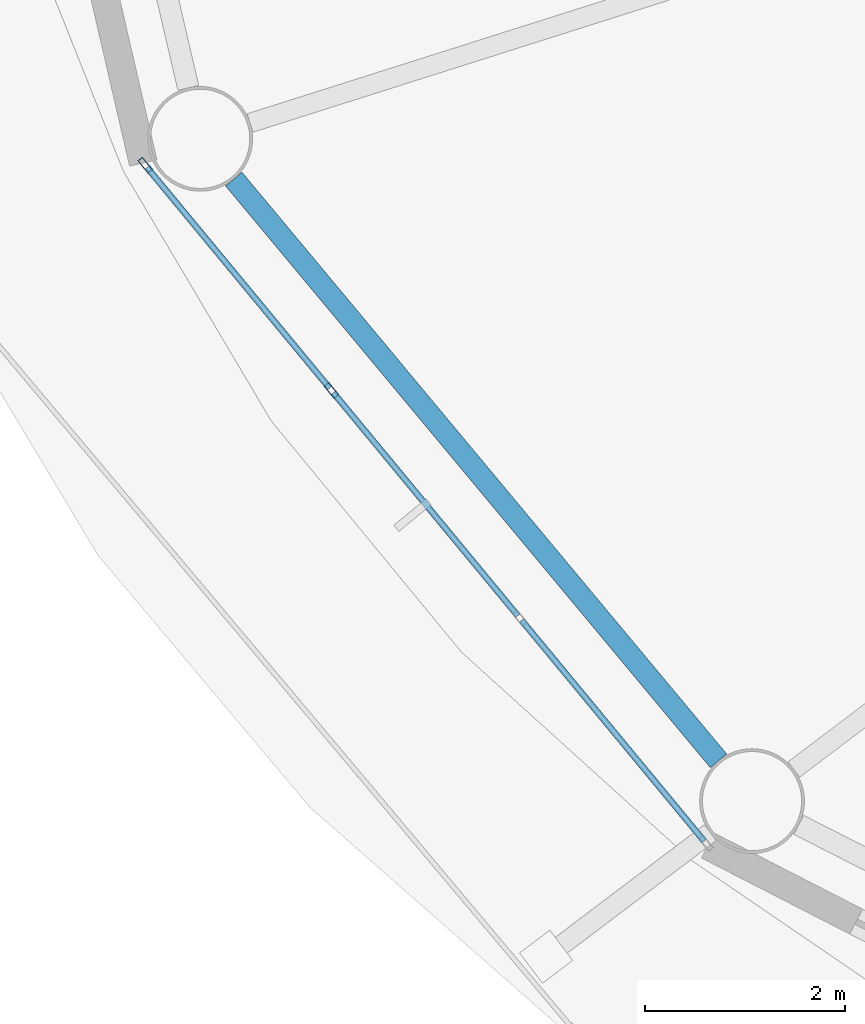
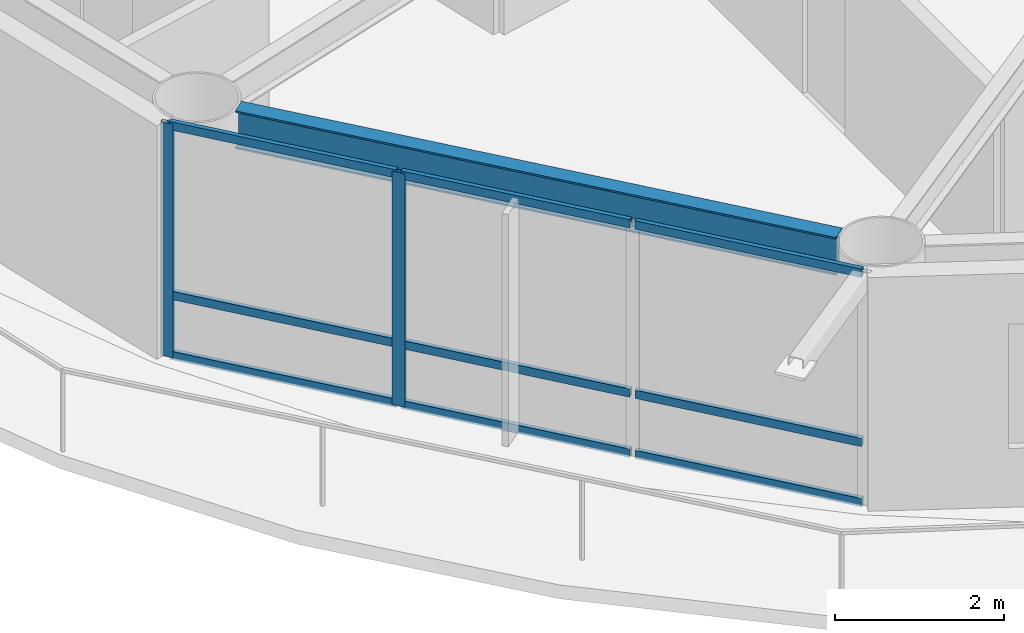
# One storey, part 3 of 27: 11 members, 1 beam, 1 element without a shape of its own.
"""IFC4 building model written with IfcOpenShell, lengths in metres."""

from ifc_helpers import new_model, si_unit, direction, frame, origin, origin_2d, place, context, subcontext, project, spatial, hollow_rectangle, i_section, extrude, material, layer, layer_set, material_profile, profile_set, type_object, element, aggregate, save


model = new_model("IFC4")

# Units and contexts
model_context = context("Model", 3, precision=1e-05, world=origin(), true_north=direction((0.0, 1.0)))
body_context = subcontext(model_context, "Body", "Model", "MODEL_VIEW")
ifc_project = project(units=[si_unit("LENGTHUNIT", "METRE"), si_unit("AREAUNIT", "SQUARE_METRE"), si_unit("VOLUMEUNIT", "CUBIC_METRE"), si_unit("PLANEANGLEUNIT", "RADIAN"), si_unit("MASSUNIT", "GRAM", prefix="KILO")], contexts=[model_context])

# Site, building, storey
site_placement = place(None, origin())
site = spatial("IfcSite", under=ifc_project, at=site_placement, CompositionType="ELEMENT")
building_placement = place(site_placement, origin())
building = spatial("IfcBuilding", under=site, at=building_placement, Name="Sarneth Arch Tower", CompositionType="ELEMENT")
storey_placement = place(building_placement, frame((0.0, 0.0, 157.800048828125)))
storey = spatial("IfcBuildingStorey", under=building, at=storey_placement, Name="L39", CompositionType="ELEMENT", Elevation=157.800048828125)

# Beam
ifc_material_1 = material(Name="Steel S355", Category="steel")
ifc_material_profile_1 = material_profile(ifc_material_1, i_section(OverallWidth=0.214111328125, OverallDepth=0.549072265625, WebThickness=0.0146484375, FlangeThickness=0.023681640625, FilletRadius=0.01806640625, at=origin_2d()), Name="W530x138")
ifc_profile_set_1 = profile_set([ifc_material_profile_1], Name="Steel S355")
beam_type = type_object("IfcBeamType", Name="BM-RAD-530A", PredefinedType="BEAM", material=ifc_profile_set_1)
beam_placement = place(storey_placement, frame((23.673828125, 33.770751953125, 3.10546875), z_axis=(0.640171737024, -0.768231831621, 0.0), x_axis=(0.768231831621, 0.640171737024, 0.0)))
element("IfcBeam", 1, at=beam_placement, inside=storey, type_object=beam_type, Name="L39 Perimeter spandrel beam 10", PredefinedType="BEAM", context=body_context, shape_type="SweptSolid", body=[
    extrude(i_section(OverallWidth=0.214111328125, OverallDepth=0.549072265625, WebThickness=0.0146484375, FlangeThickness=0.023681640625, FilletRadius=0.01806640625, at=origin_2d()), origin(), (0.0, 0.0, 1.0), 7.585693359375),
])

# Curtain wall, members
ifc_material_2 = material(Name="Anodised aluminium Type AA25 and solar-control low-e laminated IGU", Category="aluminium")
ifc_layer = layer(ifc_material_2, 0.169921875)
ifc_layer_set = layer_set([ifc_layer], Name="Anodised aluminium Type AA25 and solar-control low-e laminated IGU")
curtain_wall_type = type_object("IfcCurtainWallType", Name="CW-RES-MID", PredefinedType="NOTDEFINED", material=ifc_layer_set)
curtain_wall_placement = place(storey_placement, origin())
curtain_wall = element("IfcCurtainWall", 2, at=curtain_wall_placement, inside=storey, type_object=curtain_wall_type, Name="L39 Unitised curtain wall facet 10", PredefinedType="NOTDEFINED")
ifc_material_3 = material(Name="Anodised Aluminium 6063-T6", Category="aluminium")
ifc_material_profile_2 = material_profile(ifc_material_3, hollow_rectangle(XDim=0.06005859375, YDim=0.159912109375, WallThickness=0.00390625, at=origin_2d()), Name="AL-MULL-160x60x4")
ifc_profile_set_2 = profile_set([ifc_material_profile_2], Name="Anodised Aluminium 6063-T6")
member_type_1 = type_object("IfcMemberType", Name="CW-MULLION", PredefinedType="MULLION", material=ifc_profile_set_2)
member_1_placement = place(storey_placement, frame((22.786865234375, 33.909912109375, 0.0), z_axis=(0.0, 0.0, 1.0), x_axis=(0.770590741276, 0.637330298558, 0.0)))
member_1 = element("IfcMember", 3, at=member_1_placement, type_object=member_type_1, Name="CW-SYS-5 mullion 1", PredefinedType="MULLION", context=body_context, shape_type="SweptSolid", body=[
    extrude(hollow_rectangle(XDim=0.06005859375, YDim=0.159912109375, WallThickness=0.00390625, at=origin_2d()), origin(), (0.0, 0.0, 1.0), 3.3798828125),
])
member_2_placement = place(storey_placement, frame((24.653076171875, 31.6533203125, 0.0), z_axis=(0.0, 0.0, 1.0), x_axis=(0.770590741276, 0.637330298558, 0.0)))
member_2 = element("IfcMember", 4, at=member_2_placement, type_object=member_type_1, Name="CW-SYS-5 mullion 2", PredefinedType="MULLION", context=body_context, shape_type="SweptSolid", body=[
    extrude(hollow_rectangle(XDim=0.06005859375, YDim=0.159912109375, WallThickness=0.00390625, at=origin_2d()), origin(), (0.0, 0.0, 1.0), 3.3798828125),
])
ifc_material_4 = material(Name="Anodised Aluminium 6063-T6", Category="aluminium")
ifc_material_profile_3 = material_profile(ifc_material_4, hollow_rectangle(XDim=0.06005859375, YDim=0.1201171875, WallThickness=0.00390625, at=origin_2d()), Name="AL-TRAN-120x60x4")
ifc_profile_set_3 = profile_set([ifc_material_profile_3], Name="Anodised Aluminium 6063-T6")
member_type_2 = type_object("IfcMemberType", Name="CW-TRANSOM", PredefinedType="USERDEFINED", material=ifc_profile_set_3)
member_3_placement = place(storey_placement, frame((22.805908203125, 33.88671875, 0.030029296875), z_axis=(0.637358651504, -0.770567290607, 0.0), x_axis=(0.770567290607, 0.637358651504, 0.0)))
member_3 = element("IfcMember", 5, at=member_3_placement, type_object=member_type_2, Name="CW-SYS-5 transom 1.1", ObjectType="TRANSOM", PredefinedType="USERDEFINED", context=body_context, shape_type="SweptSolid", body=[
    extrude(hollow_rectangle(XDim=0.06005859375, YDim=0.1201171875, WallThickness=0.00390625, at=origin_2d()), origin(), (0.0, 0.0, 1.0), 2.8681640625),
])
member_4_placement = place(storey_placement, frame((22.805908203125, 33.88671875, 0.89990234375), z_axis=(0.637358651504, -0.770567290607, 0.0), x_axis=(0.770567290607, 0.637358651504, 0.0)))
member_4 = element("IfcMember", 6, at=member_4_placement, type_object=member_type_2, Name="CW-SYS-5 transom 1.2", ObjectType="TRANSOM", PredefinedType="USERDEFINED", context=body_context, shape_type="SweptSolid", body=[
    extrude(hollow_rectangle(XDim=0.06005859375, YDim=0.1201171875, WallThickness=0.00390625, at=origin_2d()), origin(), (0.0, 0.0, 1.0), 2.8681640625),
])
member_5_placement = place(storey_placement, frame((22.805908203125, 33.88671875, 3.349853515625), z_axis=(0.637358651504, -0.770567290607, 0.0), x_axis=(0.770567290607, 0.637358651504, 0.0)))
member_5 = element("IfcMember", 7, at=member_5_placement, type_object=member_type_2, Name="CW-SYS-5 transom 1.3", ObjectType="TRANSOM", PredefinedType="USERDEFINED", context=body_context, shape_type="SweptSolid", body=[
    extrude(hollow_rectangle(XDim=0.06005859375, YDim=0.1201171875, WallThickness=0.00390625, at=origin_2d()), origin(), (0.0, 0.0, 1.0), 2.8681640625),
])
member_6_placement = place(storey_placement, frame((24.672119140625, 31.63037109375, 0.030029296875), z_axis=(0.637329777791, -0.770591171985, 0.0), x_axis=(0.770591171985, 0.637329777791, 0.0)))
member_6 = element("IfcMember", 8, at=member_6_placement, type_object=member_type_2, Name="CW-SYS-5 transom 2.1", ObjectType="TRANSOM", PredefinedType="USERDEFINED", context=body_context, shape_type="SweptSolid", body=[
    extrude(hollow_rectangle(XDim=0.06005859375, YDim=0.1201171875, WallThickness=0.00390625, at=origin_2d()), origin(), (0.0, 0.0, 1.0), 2.898193359375),
])
member_7_placement = place(storey_placement, frame((24.672119140625, 31.63037109375, 0.89990234375), z_axis=(0.637329777791, -0.770591171985, 0.0), x_axis=(0.770591171985, 0.637329777791, 0.0)))
member_7 = element("IfcMember", 9, at=member_7_placement, type_object=member_type_2, Name="CW-SYS-5 transom 2.2", ObjectType="TRANSOM", PredefinedType="USERDEFINED", context=body_context, shape_type="SweptSolid", body=[
    extrude(hollow_rectangle(XDim=0.06005859375, YDim=0.1201171875, WallThickness=0.00390625, at=origin_2d()), origin(), (0.0, 0.0, 1.0), 2.898193359375),
])
member_8_placement = place(storey_placement, frame((24.672119140625, 31.63037109375, 3.349853515625), z_axis=(0.637329777791, -0.770591171985, 0.0), x_axis=(0.770591171985, 0.637329777791, 0.0)))
member_8 = element("IfcMember", 10, at=member_8_placement, type_object=member_type_2, Name="CW-SYS-5 transom 2.3", ObjectType="TRANSOM", PredefinedType="USERDEFINED", context=body_context, shape_type="SweptSolid", body=[
    extrude(hollow_rectangle(XDim=0.06005859375, YDim=0.1201171875, WallThickness=0.00390625, at=origin_2d()), origin(), (0.0, 0.0, 1.0), 2.898193359375),
])
member_9_placement = place(storey_placement, frame((26.5576171875, 29.3505859375, 0.030029296875), z_axis=(0.637358651504, -0.770567290607, 0.0), x_axis=(0.770567290607, 0.637358651504, 0.0)))
member_9 = element("IfcMember", 11, at=member_9_placement, type_object=member_type_2, Name="CW-SYS-5 transom 3.1", ObjectType="TRANSOM", PredefinedType="USERDEFINED", context=body_context, shape_type="SweptSolid", body=[
    extrude(hollow_rectangle(XDim=0.06005859375, YDim=0.1201171875, WallThickness=0.00390625, at=origin_2d()), origin(), (0.0, 0.0, 1.0), 2.8681640625),
])
member_10_placement = place(storey_placement, frame((26.5576171875, 29.3505859375, 0.89990234375), z_axis=(0.637358651504, -0.770567290607, 0.0), x_axis=(0.770567290607, 0.637358651504, 0.0)))
member_10 = element("IfcMember", 12, at=member_10_placement, type_object=member_type_2, Name="CW-SYS-5 transom 3.2", ObjectType="TRANSOM", PredefinedType="USERDEFINED", context=body_context, shape_type="SweptSolid", body=[
    extrude(hollow_rectangle(XDim=0.06005859375, YDim=0.1201171875, WallThickness=0.00390625, at=origin_2d()), origin(), (0.0, 0.0, 1.0), 2.8681640625),
])
member_11_placement = place(storey_placement, frame((26.5576171875, 29.3505859375, 3.349853515625), z_axis=(0.637358651504, -0.770567290607, 0.0), x_axis=(0.770567290607, 0.637358651504, 0.0)))
member_11 = element("IfcMember", 13, at=member_11_placement, type_object=member_type_2, Name="CW-SYS-5 transom 3.3", ObjectType="TRANSOM", PredefinedType="USERDEFINED", context=body_context, shape_type="SweptSolid", body=[
    extrude(hollow_rectangle(XDim=0.06005859375, YDim=0.1201171875, WallThickness=0.00390625, at=origin_2d()), origin(), (0.0, 0.0, 1.0), 2.8681640625),
])
aggregate(curtain_wall, [member_1, member_2, member_3, member_4, member_5, member_6, member_7, member_8, member_9, member_10, member_11])

save(model, "model.ifc")
